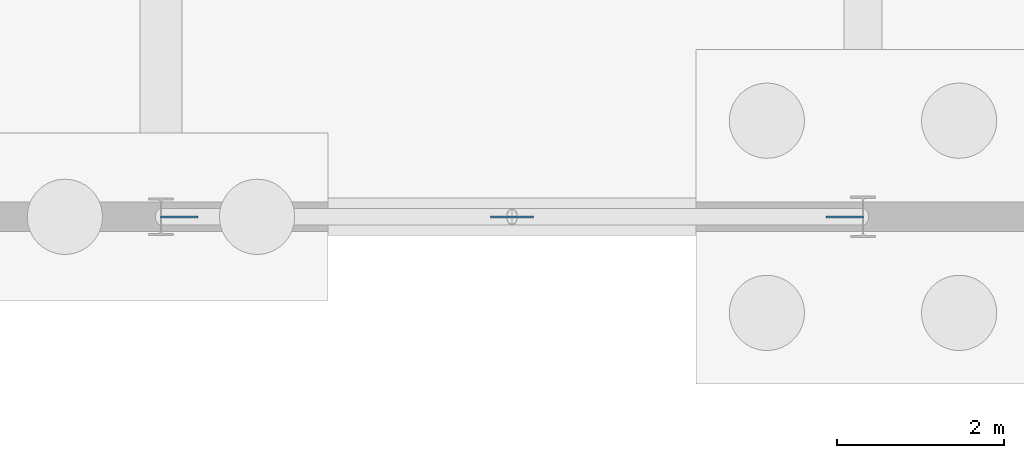
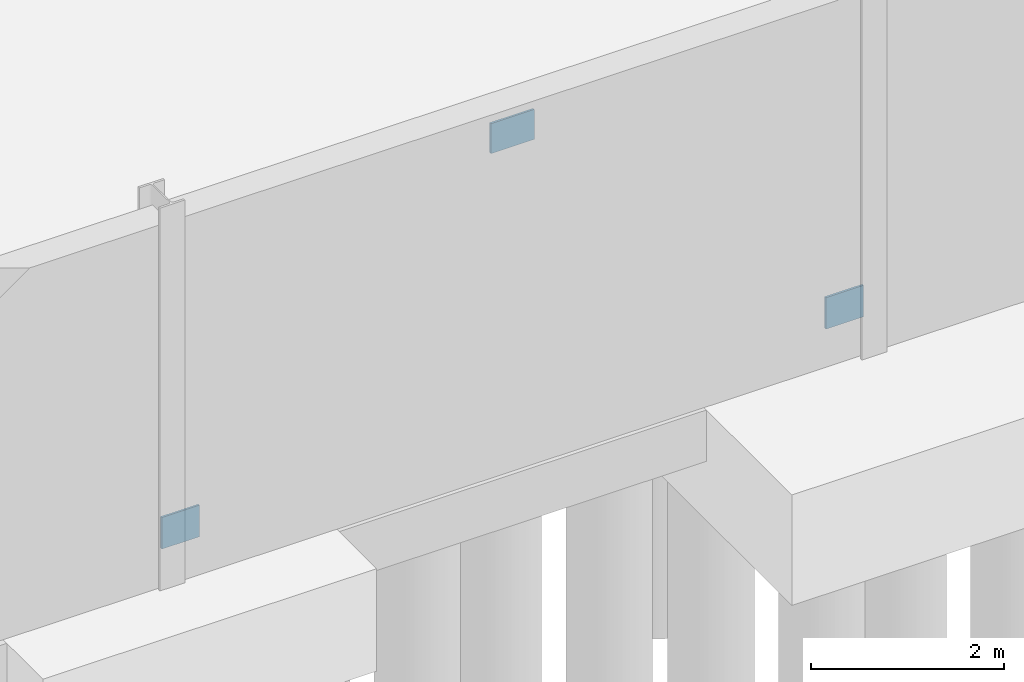
# One storey, part 45 of 51: 3 discrete accessories.
"""IFC4 building model written with IfcOpenShell, lengths in metres."""

from ifc_helpers import new_model, si_unit, direction, frame, origin, origin_2d, place, context, subcontext, project, spatial, rectangle, extrude, material, type_object, element, save


model = new_model("IFC4")

# Units and contexts
model_context = context("Model", 3, precision=1e-05, world=origin(), true_north=direction((0.0, 1.0)))
body_context = subcontext(model_context, "Body", "Model", "MODEL_VIEW")
ifc_project = project(units=[si_unit("LENGTHUNIT", "METRE"), si_unit("AREAUNIT", "SQUARE_METRE"), si_unit("VOLUMEUNIT", "CUBIC_METRE"), si_unit("PLANEANGLEUNIT", "RADIAN"), si_unit("MASSUNIT", "GRAM", prefix="KILO")], contexts=[model_context])

# Site, building, storey
site_placement = place(None, origin())
site = spatial("IfcSite", under=ifc_project, at=site_placement, CompositionType="ELEMENT")
building_placement = place(site_placement, origin())
building = spatial("IfcBuilding", under=site, at=building_placement, Name="Qalvenar Corner Mobility Hub", CompositionType="ELEMENT")
storey_placement = place(building_placement, frame((0.0, 0.0, -4.5)))
storey = spatial("IfcBuildingStorey", under=building, at=storey_placement, Name="B1", CompositionType="ELEMENT", Elevation=-4.5)

# Discrete accessories
ifc_material = material(Name="Steel S355", Category="steel")
discrete_accessory_type = type_object("IfcDiscreteAccessoryType", Name="ACC-GUSSET-PLT", PredefinedType="BRACKET", material=ifc_material)
discrete_accessory_placement = place(storey_placement, frame((147.0, 0.0, 3.630126953125), z_axis=(0.0, 0.0, 1.0), x_axis=(1.0, 0.0, 0.0)))
element("IfcDiscreteAccessory", 1, at=discrete_accessory_placement, inside=storey, type_object=discrete_accessory_type, Name="Chevron Apex Gusset Plate GP-A-055", PredefinedType="BRACKET", context=body_context, shape_type="SweptSolid", body=[
    extrude(rectangle(XDim=0.52001953125, YDim=0.02490234375, at=origin_2d()), origin(), (0.0, 0.0, 1.0), 0.3798828125),
])
for number, where, z_axis, x_axis, name in (
    (2, (143.02001953125, 0.0, 0.0), (0.0, 0.0, 1.0), (1.0, 0.0, 0.0), "Brace Base Gusset Plate GP-B-056"),
    (3, (150.97998046875, 0.0, 0.0), (0.0, 0.0, 1.0), (1.0, 0.0, 0.0), "Brace Base Gusset Plate GP-B-057"),
):
    element("IfcDiscreteAccessory", number, at=place(storey_placement, frame(where, z_axis=z_axis, x_axis=x_axis)), inside=storey, type_object=discrete_accessory_type, Name=name, PredefinedType="BRACKET", context=body_context, shape_type="SweptSolid", body=[
        extrude(rectangle(XDim=0.449951171875, YDim=0.02490234375, at=origin_2d()), origin(), (0.0, 0.0, 1.0), 0.39990234375),
    ])

save(model, "model.ifc")
